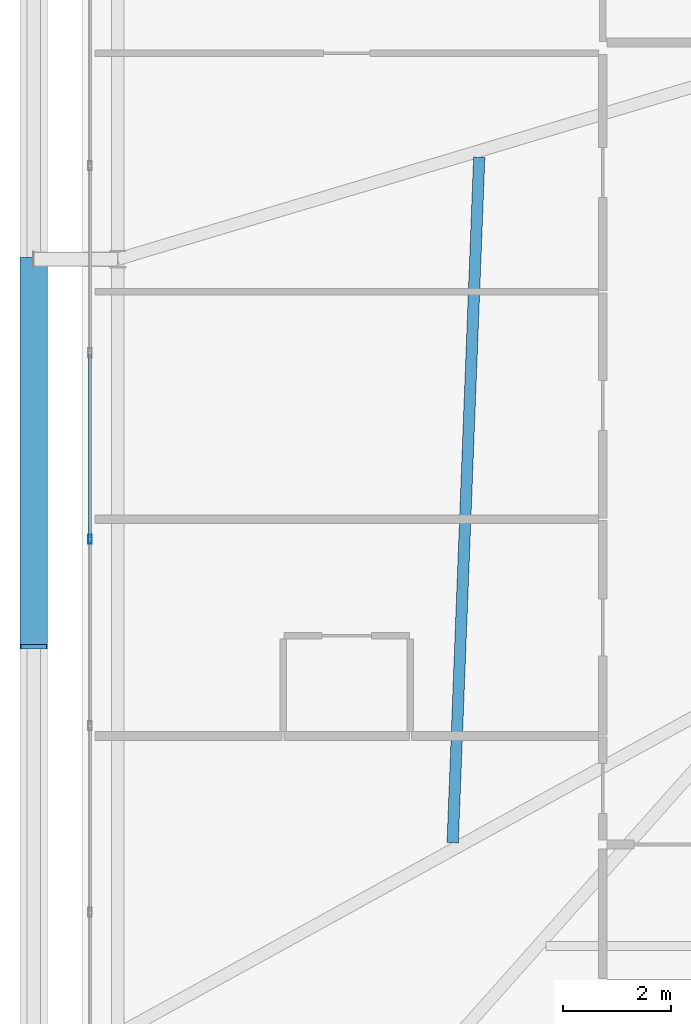
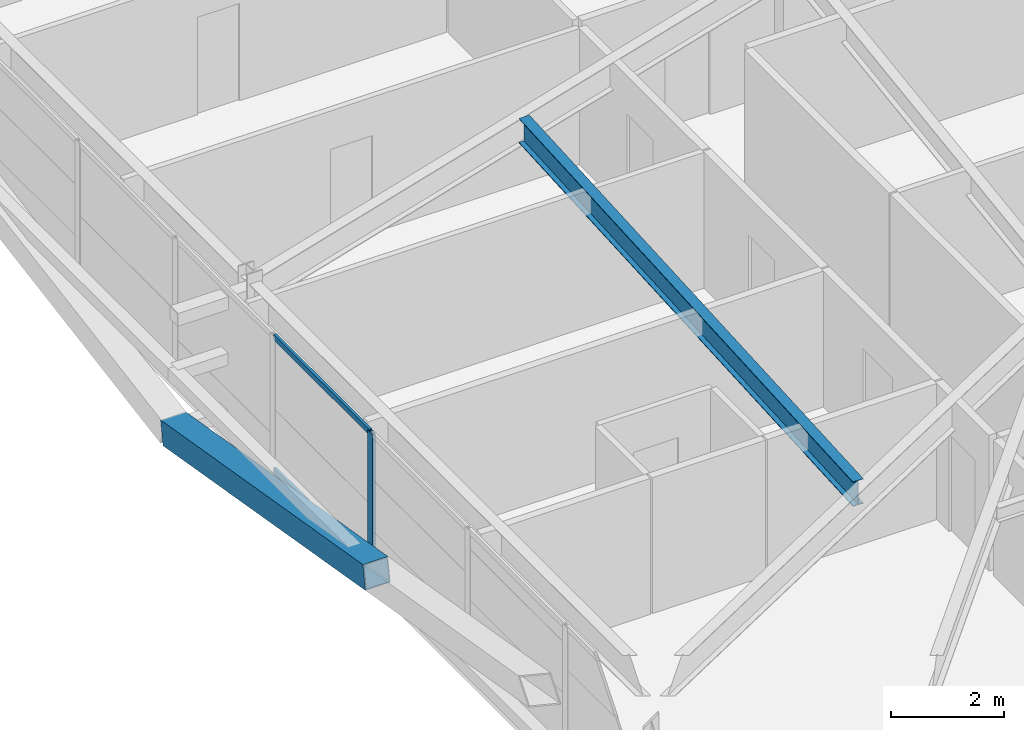
# One storey, part 10 of 59: 4 members, 1 beam, 1 element without a shape of its own.
"""IFC4 building model written with IfcOpenShell, lengths in metres."""

import ifcopenshell
import ifcopenshell.guid

model = None  # the IFC model being written
_history = None  # IfcOwnerHistory: only IFC2X3 demands one
_inside = {}  # id of a spatial element -> (the spatial element, [elements in it])
_under = {}  # id of a project, library or spatial element -> (it, [spatial elements below it])
_declared = {}  # id of a project -> (the project, [libraries it declares])
_typed = {}  # id of a type object -> (the type object, [elements of that type])
_made_of = {}  # id of a material, layer set ... -> (it, [elements and type objects made of it])


def new_model(schema):
    """Start an empty IFC model of exactly this schema.

    Asked for "IFC4X3", IfcOpenShell would pick the latest addendum, in which some entities
    have other attributes; the version numbers below select the first issue.
    IFC2X3 requires an IfcOwnerHistory on every rooted entity: one is made here for all.
    """
    global model, _history
    if schema == "IFC4X3":
        model = ifcopenshell.file(schema_version=(4, 3, 0, 0))
    else:
        model = ifcopenshell.file(schema=schema)
    _inside.clear()
    _under.clear()
    _declared.clear()
    _typed.clear()
    _made_of.clear()
    _history = None
    if model.schema == "IFC2X3":
        org = make("IfcOrganization", Name="unknown")
        user = make(
            "IfcPersonAndOrganization",
            ThePerson=make("IfcPerson", FamilyName="unknown"),
            TheOrganization=org,
        )
        app = make(
            "IfcApplication",
            ApplicationDeveloper=org,
            Version="unknown",
            ApplicationFullName="unknown",
            ApplicationIdentifier="unknown",
        )
        _history = make(
            "IfcOwnerHistory",
            OwningUser=user,
            OwningApplication=app,
            ChangeAction="ADDED",
            CreationDate=0,
        )
    return model


def make(cls, **values):
    """One entity of the class cls with the attributes given. An attribute that is None is left unset."""
    return model.create_entity(
        cls, **{name: value for name, value in values.items() if value is not None}
    )


def rooted(cls, **values):
    """An entity with a GlobalId (a new one), such as an element, a storey or a relation."""
    return make(cls, GlobalId=ifcopenshell.guid.new(), OwnerHistory=_history, **values)


def si_unit(unit_type, name, prefix=None):
    """IfcSIUnit, for example si_unit("LENGTHUNIT", "METRE", prefix="MILLI")."""
    return make("IfcSIUnit", UnitType=unit_type, Prefix=prefix, Name=name)


def assignment(units):
    """IfcUnitAssignment: the units of a project."""
    return None if units is None else make("IfcUnitAssignment", Units=units)


def point(xyz):
    """IfcCartesianPoint."""
    return None if xyz is None else make("IfcCartesianPoint", Coordinates=xyz)


def direction(xyz):
    """IfcDirection."""
    return None if xyz is None else make("IfcDirection", DirectionRatios=xyz)


def frame(location, z_axis=None, x_axis=None):
    """IfcAxis2Placement3D, a coordinate frame: its origin and axes. An axis left out is left unset."""
    return make(
        "IfcAxis2Placement3D",
        Location=point(location),
        Axis=direction(z_axis),
        RefDirection=direction(x_axis),
    )


def frame_2d(location, x_axis=None):
    """IfcAxis2Placement2D, a coordinate frame in the plane: its origin and x axis."""
    return make(
        "IfcAxis2Placement2D", Location=point(location), RefDirection=direction(x_axis)
    )


def origin():
    """The frame at (0, 0, 0) with its axes left unset."""
    return frame((0.0, 0.0, 0.0))


def origin_2d():
    """The frame at (0, 0) in the plane with its x axis left unset."""
    return frame_2d((0.0, 0.0))


def place(relative_to, where):
    """IfcLocalPlacement: puts the frame where relative to a parent placement (None: the world)."""
    return make(
        "IfcLocalPlacement", PlacementRelTo=relative_to, RelativePlacement=where
    )


def context(
    kind, dimensions, precision=None, world=None, true_north=None, identifier=None
):
    """IfcGeometricRepresentationContext, for example the 3D "Model" context."""
    return make(
        "IfcGeometricRepresentationContext",
        ContextIdentifier=identifier,
        ContextType=kind,
        CoordinateSpaceDimension=dimensions,
        Precision=precision,
        WorldCoordinateSystem=world,
        TrueNorth=true_north,
    )


def subcontext(parent, identifier, kind, view, scale=None):
    """IfcGeometricRepresentationSubContext, for example "Body" below "Model"."""
    return make(
        "IfcGeometricRepresentationSubContext",
        ContextIdentifier=identifier,
        ContextType=kind,
        ParentContext=parent,
        TargetScale=scale,
        TargetView=view,
    )


def project(units=None, contexts=None):
    """IfcProject with its units and contexts."""
    return rooted(
        "IfcProject",
        Name="project",
        RepresentationContexts=contexts,
        UnitsInContext=assignment(units),
    )


def spatial(cls, under=None, at=None, **own):
    """A site, building, storey or space (cls), placed at a placement, below another one or the project."""
    s = rooted(cls, ObjectPlacement=at, **own)
    if under is not None:
        _under.setdefault(under.id(), (under, []))[1].append(s)
    return s


def profile(cls, at=None, kind="AREA", **sizes):
    """A parametric profile (cls). Its sizes go by their IFC names, for example OverallWidth=200.0."""
    return make(cls, ProfileType=kind, Position=at, **sizes)


def hollow_rectangle(**sizes):
    """IfcRectangleHollowProfileDef."""
    return profile("IfcRectangleHollowProfileDef", **sizes)


def i_section(**sizes):
    """IfcIShapeProfileDef."""
    return profile("IfcIShapeProfileDef", **sizes)


def extrude(swept, where, along, depth):
    """IfcExtrudedAreaSolid: the profile swept, set in the frame where, extruded along a direction by depth."""
    return make(
        "IfcExtrudedAreaSolid",
        SweptArea=swept,
        Position=where,
        ExtrudedDirection=direction(along),
        Depth=depth,
    )


def shape(context_of_items, identifier, shape_type, items):
    """IfcShapeRepresentation: the items that make up one representation, for example the "Body"."""
    return make(
        "IfcShapeRepresentation",
        ContextOfItems=context_of_items,
        RepresentationIdentifier=identifier,
        RepresentationType=shape_type,
        Items=items,
    )


def source(mapping_origin, context_of_items, identifier, shape_type, items):
    """IfcRepresentationMap: a shape defined once, which mapped items show again and again."""
    return make(
        "IfcRepresentationMap",
        MappingOrigin=mapping_origin,
        MappedRepresentation=shape(context_of_items, identifier, shape_type, items),
    )


def transform(
    local_origin,
    x_axis=None,
    y_axis=None,
    z_axis=None,
    scale=None,
    scale2=None,
    scale3=None,
    uniform=True,
):
    """IfcCartesianTransformationOperator3D, or its non-uniform kind. x_axis, y_axis, z_axis: its Axis1, 2, 3."""
    if uniform:
        return make(
            "IfcCartesianTransformationOperator3D",
            Axis1=direction(x_axis),
            Axis2=direction(y_axis),
            LocalOrigin=point(local_origin),
            Scale=scale,
            Axis3=direction(z_axis),
        )
    return make(
        "IfcCartesianTransformationOperator3DnonUniform",
        Axis1=direction(x_axis),
        Axis2=direction(y_axis),
        LocalOrigin=point(local_origin),
        Scale=scale,
        Axis3=direction(z_axis),
        Scale2=scale2,
        Scale3=scale3,
    )


def mapped(mapping_source, mapping_target):
    """IfcMappedItem: shows the shape of a source again, moved by a transform."""
    return make(
        "IfcMappedItem", MappingSource=mapping_source, MappingTarget=mapping_target
    )


def material(Name=None, Category=None):
    """IfcMaterial."""
    return make("IfcMaterial", Name=Name, Category=Category)


def layer(
    of_material, thickness, ventilated=None, Name=None, Category=None, Priority=None
):
    """IfcMaterialLayer: one layer of a wall or slab, of a material (None: an air gap)."""
    return make(
        "IfcMaterialLayer",
        Material=of_material,
        LayerThickness=thickness,
        IsVentilated=ventilated,
        Name=Name,
        Category=Category,
        Priority=Priority,
    )


def layer_set(layers, Name=None):
    """IfcMaterialLayerSet."""
    return make("IfcMaterialLayerSet", MaterialLayers=layers, LayerSetName=Name)


def material_profile(
    of_material, cross_section, Name=None, Category=None, Priority=None
):
    """IfcMaterialProfile: a cross section and its material."""
    return make(
        "IfcMaterialProfile",
        Name=Name,
        Material=of_material,
        Profile=cross_section,
        Priority=Priority,
        Category=Category,
    )


def profile_set(profiles, Name=None, composite=None):
    """IfcMaterialProfileSet."""
    return make(
        "IfcMaterialProfileSet",
        Name=Name,
        MaterialProfiles=profiles,
        CompositeProfile=composite,
    )


def made_of(thing, what):
    """Note that an element or type object is made of a material, layer set ...; save() writes the relation."""
    if what is not None:
        _made_of.setdefault(what.id(), (what, []))[1].append(thing)
    return thing


def type_object(cls, material=None, **own):
    """A type object (cls), such as IfcWallType, which elements share."""
    return made_of(rooted(cls, **own), material)


def element(
    cls,
    number,
    at=None,
    inside=None,
    cuts=None,
    type_object=None,
    material=None,
    context=None,
    identifier="Body",
    shape_type=None,
    held_by="IfcProductDefinitionShape",
    body=None,
    shapes=None,
    **own,
):
    """One element of the class cls, such as IfcWall. Its Tag is "e" and its number.

    at: its placement. inside: the storey or other place that contains it. cuts: it is an
    opening in that element (IfcRelVoidsElement). A single representation is given by context,
    identifier, shape_type and body (its items); several are given by shapes. held_by: the class
    of the entity that holds the representations. save() writes the other relations.
    """
    e = rooted(cls, Tag="e%d" % number, ObjectPlacement=at, **own)
    if body is not None:
        shapes = [shape(context, identifier, shape_type, body)]
    if shapes is not None:
        e.Representation = make(held_by, Representations=shapes)
    if inside is not None:
        _inside.setdefault(inside.id(), (inside, []))[1].append(e)
    if cuts is not None:
        rooted(
            "IfcRelVoidsElement", RelatingBuildingElement=cuts, RelatedOpeningElement=e
        )
    if type_object is not None:
        _typed.setdefault(type_object.id(), (type_object, []))[1].append(e)
    return made_of(e, material)


def aggregate(whole, parts):
    """IfcRelAggregates: a whole, such as a stair, and the parts it consists of."""
    return rooted("IfcRelAggregates", RelatingObject=whole, RelatedObjects=parts)


def save(model, path):
    """Write the relations noted so far, then the file.

    IfcRelAggregates (storeys below a building ...), IfcRelContainedInSpatialStructure (elements
    in a storey), IfcRelDefinesByType, IfcRelAssociatesMaterial and IfcRelDeclares: one each for
    every whole, place, type object, material and project.
    """
    for whole, parts in _under.values():
        aggregate(whole, parts)
    for where, things in _inside.values():
        rooted(
            "IfcRelContainedInSpatialStructure",
            RelatedElements=things,
            RelatingStructure=where,
        )
    for kind, things in _typed.values():
        rooted("IfcRelDefinesByType", RelatedObjects=things, RelatingType=kind)
    for what, things in _made_of.values():
        rooted("IfcRelAssociatesMaterial", RelatedObjects=things, RelatingMaterial=what)
    for by, libraries in _declared.values():
        rooted("IfcRelDeclares", RelatingContext=by, RelatedDefinitions=libraries)
    model.write(path)


model = new_model("IFC4")

# Units and contexts
model_context = context("Model", 3, precision=1e-05, world=origin(), true_north=direction((0.0, 1.0)))
body_context = subcontext(model_context, "Body", "Model", "MODEL_VIEW")
ifc_project = project(units=[si_unit("LENGTHUNIT", "METRE"), si_unit("AREAUNIT", "SQUARE_METRE"), si_unit("VOLUMEUNIT", "CUBIC_METRE"), si_unit("PLANEANGLEUNIT", "RADIAN"), si_unit("MASSUNIT", "GRAM", prefix="KILO")], contexts=[model_context])

# Site, building, storey
site_placement = place(None, origin())
site = spatial("IfcSite", under=ifc_project, at=site_placement, CompositionType="ELEMENT")
building_placement = place(site_placement, origin())
building = spatial("IfcBuilding", under=site, at=building_placement, Name="Taldren Reach Tower", CompositionType="ELEMENT")
storey_placement = place(building_placement, frame((0.0, 0.0, 19.949951171875)))
storey = spatial("IfcBuildingStorey", under=building, at=storey_placement, Name="L05", CompositionType="ELEMENT", Elevation=19.949951171875)

# Beam
ifc_material_1 = material(Name="Steel Gr 350 (350PLUS)", Category="steel")
ifc_material_profile_1 = material_profile(ifc_material_1, i_section(OverallWidth=0.208984375, OverallDepth=0.532958984375, WebThickness=0.01025390625, FlangeThickness=0.015625, at=origin_2d()), Name="530UB92.4")
ifc_profile_set_1 = profile_set([ifc_material_profile_1], Name="Steel Gr 350 (350PLUS)")
beam_type = type_object("IfcBeamType", Name="BM-UB530A", PredefinedType="BEAM", material=ifc_profile_set_1)
shared_shape_1 = source(origin(), body_context, "Body", "SweptSolid", [
    extrude(i_section(OverallWidth=0.208984375, OverallDepth=0.532958984375, WebThickness=0.01025390625, FlangeThickness=0.015625, at=origin_2d()), origin(), (0.0, 0.0, 1.0), 12.65625),
])
beam_placement = place(storey_placement, frame((11.830078125, 9.23291015625, 2.66357421875), z_axis=(0.0387346395, 0.99924953225, 0.0), x_axis=(-0.99924953225, 0.0387346395, 0.0)))
element("IfcBeam", 1, at=beam_placement, inside=storey, type_object=beam_type, Name="Secondary floor beam B1 J6 L05", PredefinedType="BEAM", context=body_context, shape_type="MappedRepresentation", body=[
    mapped(shared_shape_1, transform((0.0, 0.0, 0.0), scale=1.0)),
])

# Member
ifc_material_2 = material(Name="Steel Gr 450 (C450L0)", Category="steel")
ifc_material_profile_2 = material_profile(ifc_material_2, hollow_rectangle(XDim=0.510009765625, YDim=0.510009765625, WallThickness=0.02001953125, at=origin_2d()), Name="510x510x20.0SHS")
ifc_profile_set_2 = profile_set([ifc_material_profile_2], Name="Steel Gr 450 (C450L0)")
member_type_1 = type_object("IfcMemberType", Name="MB-EXO508", PredefinedType="BRACE", material=ifc_profile_set_2)
shared_shape_2 = source(origin(), body_context, "Body", "SweptSolid", [
    extrude(hollow_rectangle(XDim=0.510009765625, YDim=0.510009765625, WallThickness=0.02001953125, at=origin_2d()), origin(), (0.0, 0.0, 1.0), 7.25244140625),
])
member_1_placement = place(storey_placement, frame((4.10009765625, 20.0, 0.219970703125), z_axis=(0.0, -0.985864855729, 0.167542490848), x_axis=(1.0, 0.0, 0.0)))
element("IfcMember", 2, at=member_1_placement, inside=storey, type_object=member_type_1, Name="Exoskeleton Diagrid Brace B1-W1 L05", PredefinedType="BRACE", context=body_context, shape_type="MappedRepresentation", body=[
    mapped(shared_shape_2, transform((0.0, 0.0, 0.0), scale=1.0)),
])

# Curtain wall, members
ifc_material_3 = material(Name="Aluminium and Low-E Glass Unitised System", Category="aluminium")
ifc_layer = layer(ifc_material_3, 0.159912109375)
ifc_layer_set = layer_set([ifc_layer], Name="Aluminium and Low-E Glass Unitised System")
curtain_wall_type = type_object("IfcCurtainWallType", Name="CW-SYS-2", PredefinedType="NOTDEFINED", material=ifc_layer_set)
curtain_wall_placement = place(storey_placement, origin())
curtain_wall = element("IfcCurtainWall", 3, at=curtain_wall_placement, inside=storey, type_object=curtain_wall_type, Name="Unitised curtain wall CW-L05-W", PredefinedType="NOTDEFINED")
ifc_material_4 = material(Name="Anodised Aluminium 6063-T6", Category="aluminium")
ifc_material_profile_3 = material_profile(ifc_material_4, hollow_rectangle(XDim=0.06494140625, YDim=0.1650390625, WallThickness=0.00390625, at=origin_2d()), Name="ALU-165x65x4RHS")
ifc_profile_set_3 = profile_set([ifc_material_profile_3], Name="Anodised Aluminium 6063-T6")
member_type_2 = type_object("IfcMemberType", Name="CW-MUL-165", PredefinedType="MULLION", material=ifc_profile_set_3)
shared_shape_3 = source(origin(), body_context, "Body", "SweptSolid", [
    extrude(hollow_rectangle(XDim=0.06494140625, YDim=0.1650390625, WallThickness=0.00390625, at=origin_2d()), origin(), (0.0, 0.0, 1.0), 2.929931640625),
])
member_2_placement = place(storey_placement, frame((5.139892578125, 14.833251953125, 0.0), z_axis=(0.0, 0.0, 1.0), x_axis=(1.0, 0.0, 0.0)))
member_2 = element("IfcMember", 4, at=member_2_placement, type_object=member_type_2, Name="CW-2 mullion 7", PredefinedType="MULLION", context=body_context, shape_type="MappedRepresentation", body=[
    mapped(shared_shape_3, transform((0.0, 0.0, 0.0), scale=1.0)),
])
ifc_material_profile_4 = material_profile(ifc_material_4, hollow_rectangle(XDim=0.054931640625, YDim=0.1201171875, WallThickness=0.0029296875, at=origin_2d()), Name="ALU-120x55x3RHS")
ifc_profile_set_4 = profile_set([ifc_material_profile_4], Name="Anodised Aluminium 6063-T6")
member_type_3 = type_object("IfcMemberType", Name="CW-TRN-135", PredefinedType="USERDEFINED", material=ifc_profile_set_4)
shared_shape_4 = source(origin(), body_context, "Body", "SweptSolid", [
    extrude(hollow_rectangle(XDim=0.054931640625, YDim=0.1201171875, WallThickness=0.0029296875, at=origin_2d()), origin(), (0.0, 0.0, 1.0), 3.379638671875),
])
member_3_placement = place(storey_placement, frame((5.139892578125, 18.245361328125, 0.027587890625), z_axis=(0.0, -1.0, 0.0), x_axis=(1.0, 0.0, 0.0)))
member_3 = element("IfcMember", 5, at=member_3_placement, type_object=member_type_3, Name="CW-2 transom 6.1", ObjectType="TRANSOM", PredefinedType="USERDEFINED", context=body_context, shape_type="MappedRepresentation", body=[
    mapped(shared_shape_4, transform((0.0, 0.0, 0.0), scale=1.0)),
])
member_4_placement = place(storey_placement, frame((5.139892578125, 18.245361328125, 2.902587890625), z_axis=(0.0, -1.0, 0.0), x_axis=(1.0, 0.0, 0.0)))
member_4 = element("IfcMember", 6, at=member_4_placement, type_object=member_type_3, Name="CW-2 transom 6.2", ObjectType="TRANSOM", PredefinedType="USERDEFINED", context=body_context, shape_type="MappedRepresentation", body=[
    mapped(shared_shape_4, transform((0.0, 0.0, 0.0), scale=1.0)),
])
aggregate(curtain_wall, [member_2, member_3, member_4])

save(model, "model.ifc")
